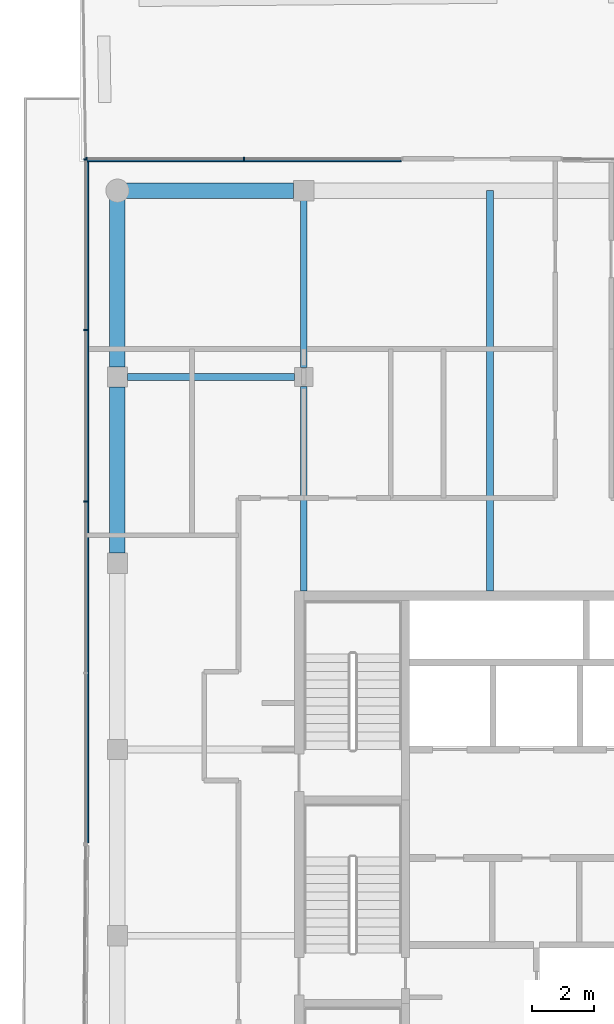
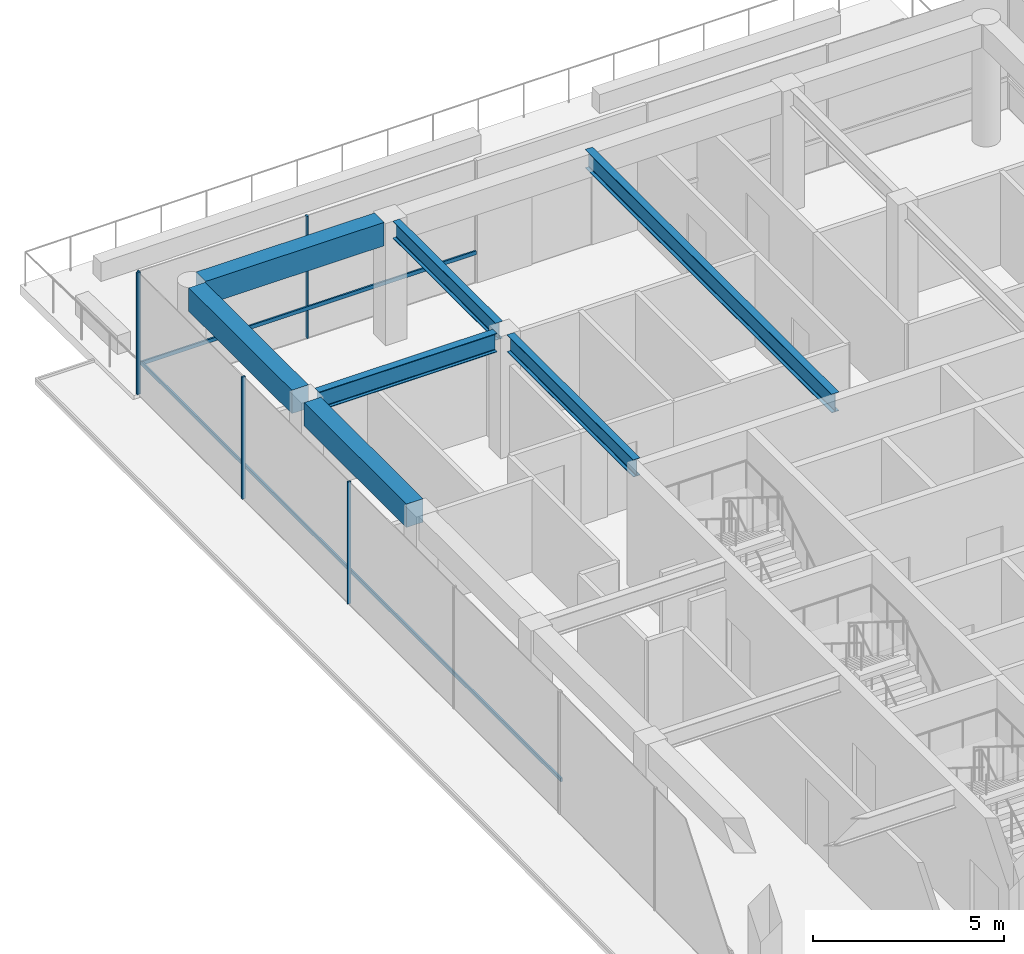
# One storey, part 9 of 17: 7 beams, 7 members, 2 elements without a shape of their own.
"""IFC4 building model written with IfcOpenShell, lengths in metres."""

from ifc_helpers import new_model, si_unit, direction, frame, origin, origin_2d, place, context, subcontext, project, spatial, rectangle, i_section, extrude, material, layer, layer_set, material_profile, profile_set, type_object, element, aggregate, save


model = new_model("IFC4")

# Units and contexts
model_context = context("Model", 3, precision=1e-05, world=origin(), true_north=direction((0.0, 1.0)))
body_context = subcontext(model_context, "Body", "Model", "MODEL_VIEW")
ifc_project = project(units=[si_unit("LENGTHUNIT", "METRE"), si_unit("AREAUNIT", "SQUARE_METRE"), si_unit("VOLUMEUNIT", "CUBIC_METRE"), si_unit("PLANEANGLEUNIT", "RADIAN"), si_unit("MASSUNIT", "GRAM", prefix="KILO")], contexts=[model_context])

# Site, building, storey
site_placement = place(None, origin())
site = spatial("IfcSite", under=ifc_project, at=site_placement, CompositionType="ELEMENT")
building_placement = place(site_placement, origin())
building = spatial("IfcBuilding", under=site, at=building_placement, Name="Welwitschia Terrace Campus", CompositionType="ELEMENT")
storey_placement = place(building_placement, frame((0.0, 0.0, 335.60009765625)))
storey = spatial("IfcBuildingStorey", under=building, at=storey_placement, Name="L75", CompositionType="ELEMENT", Elevation=335.60009765625)

# Beams
ifc_material_1 = material(Name="Steel S355", Category="steel")
ifc_material_profile_1 = material_profile(ifc_material_1, i_section(OverallWidth=0.2099609375, OverallDepth=0.550048828125, WebThickness=0.010986328125, FlangeThickness=0.01708984375, FilletRadius=0.02392578125, at=origin_2d()))
ifc_profile_set_1 = profile_set([ifc_material_profile_1], Name="Steel S355")
beam_type_1 = type_object("IfcBeamType", Name="Interior girder IPE 550", PredefinedType="BEAM", material=ifc_profile_set_1)
beam_1_placement = place(storey_placement, frame((6.0, 25.10107421875, 3.625), z_axis=(0.0, 1.0, 0.0), x_axis=(-1.0, 0.0, 0.0)))
element("IfcBeam", 1, at=beam_1_placement, inside=storey, type_object=beam_type_1, Name="Girder GB7", PredefinedType="BEAM", context=body_context, shape_type="SweptSolid", body=[
    extrude(i_section(OverallWidth=0.2099609375, OverallDepth=0.550048828125, WebThickness=0.010986328125, FlangeThickness=0.01708984375, FilletRadius=0.02392578125, at=origin_2d()), origin(), (0.0, 0.0, 1.0), 6.598388671875),
])
beam_2_placement = place(storey_placement, frame((6.0, 32.300537109375, 3.625), z_axis=(0.0, 1.0, 0.0), x_axis=(-1.0, 0.0, 0.0)))
element("IfcBeam", 2, at=beam_2_placement, inside=storey, type_object=beam_type_1, Name="Girder GB7", PredefinedType="BEAM", context=body_context, shape_type="SweptSolid", body=[
    extrude(i_section(OverallWidth=0.2099609375, OverallDepth=0.550048828125, WebThickness=0.010986328125, FlangeThickness=0.01708984375, FilletRadius=0.02392578125, at=origin_2d()), origin(), (0.0, 0.0, 1.0), 5.384033203125),
])

# Curtain wall, members
ifc_material_2 = material(Name="Bronze anodised aluminium", Category="aluminium")
ifc_layer = layer(ifc_material_2, 0.10009765625)
ifc_layer_set = layer_set([ifc_layer], Name="Bronze anodised aluminium")
curtain_wall_type = type_object("IfcCurtainWallType", Name="Curtain wall CW5 crown 6000", PredefinedType="NOTDEFINED", material=ifc_layer_set)
curtain_wall_1_placement = place(storey_placement, origin())
curtain_wall_1 = element("IfcCurtainWall", 3, at=curtain_wall_1_placement, inside=storey, type_object=curtain_wall_type, Name="CW L75.0.1", PredefinedType="NOTDEFINED")
ifc_material_3 = material(Name="Bronze anodised aluminium", Category="aluminium")
ifc_material_profile_2 = material_profile(ifc_material_3, rectangle(XDim=0.10009765625, YDim=0.050048828125, at=origin_2d()))
ifc_profile_set_2 = profile_set([ifc_material_profile_2], Name="Bronze anodised aluminium")
member_type_1 = type_object("IfcMemberType", Name="Mullion 50x100", PredefinedType="MULLION", material=ifc_profile_set_2)
member_1_placement = place(storey_placement, frame((4.078857421875, 39.030029296875, 0.0), z_axis=(0.0, 0.0, 1.0), x_axis=(0.0, -1.0, 0.0)))
member_1 = element("IfcMember", 4, at=member_1_placement, type_object=member_type_1, Name="Mullion L75.0.1.1", PredefinedType="MULLION", context=body_context, shape_type="SweptSolid", body=[
    extrude(rectangle(XDim=0.10009765625, YDim=0.050048828125, at=origin_2d()), origin(), (0.0, 0.0, 1.0), 3.89990234375),
])
member_2_placement = place(storey_placement, frame((-1.0048828125, 39.030029296875, 0.0), z_axis=(0.0, 0.0, 1.0), x_axis=(0.0, -1.0, 0.0)))
member_2 = element("IfcMember", 5, at=member_2_placement, type_object=member_type_1, Name="Mullion L75.0.1.2", PredefinedType="MULLION", context=body_context, shape_type="SweptSolid", body=[
    extrude(rectangle(XDim=0.10009765625, YDim=0.050048828125, at=origin_2d()), origin(), (0.0, 0.0, 1.0), 3.89990234375),
])

curtain_wall_2_placement = place(storey_placement, origin())
curtain_wall_2 = element("IfcCurtainWall", 6, at=curtain_wall_2_placement, inside=storey, type_object=curtain_wall_type, Name="CW L75.1.0", PredefinedType="NOTDEFINED")
member_3_placement = place(storey_placement, frame((-1.030029296875, 39.0048828125, 0.0), z_axis=(0.0, 0.0, 1.0), x_axis=(1.0, 0.0, 0.0)))
member_3 = element("IfcMember", 7, at=member_3_placement, type_object=member_type_1, Name="Mullion L75.1.0.0", PredefinedType="MULLION", context=body_context, shape_type="SweptSolid", body=[
    extrude(rectangle(XDim=0.10009765625, YDim=0.050048828125, at=origin_2d()), origin(), (0.0, 0.0, 1.0), 3.89990234375),
])
member_4_placement = place(storey_placement, frame((-1.030029296875, 33.50830078125, 0.0), z_axis=(0.0, 0.0, 1.0), x_axis=(1.0, 0.0, 0.0)))
member_4 = element("IfcMember", 8, at=member_4_placement, type_object=member_type_1, Name="Mullion L75.1.0.1", PredefinedType="MULLION", context=body_context, shape_type="SweptSolid", body=[
    extrude(rectangle(XDim=0.10009765625, YDim=0.050048828125, at=origin_2d()), origin(), (0.0, 0.0, 1.0), 3.89990234375),
])
member_5_placement = place(storey_placement, frame((-1.030029296875, 27.986572265625, 0.0), z_axis=(0.0, 0.0, 1.0), x_axis=(1.0, 0.0, 0.0)))
member_5 = element("IfcMember", 9, at=member_5_placement, type_object=member_type_1, Name="Mullion L75.1.0.2", PredefinedType="MULLION", context=body_context, shape_type="SweptSolid", body=[
    extrude(rectangle(XDim=0.10009765625, YDim=0.050048828125, at=origin_2d()), origin(), (0.0, 0.0, 1.0), 3.89990234375),
])

# Beams
ifc_material_4 = material(Name="Steel S355", Category="steel")
ifc_material_profile_3 = material_profile(ifc_material_4, i_section(OverallWidth=0.219970703125, OverallDepth=0.60009765625, WebThickness=0.011962890625, FlangeThickness=0.01904296875, FilletRadius=0.02392578125, at=origin_2d()))
ifc_profile_set_3 = profile_set([ifc_material_profile_3], Name="Steel S355")
beam_type_2 = type_object("IfcBeamType", Name="Primary beam IPE 600", PredefinedType="BEAM", material=ifc_profile_set_3)
beam_3_placement = place(storey_placement, frame((12.0, 38.0, 3.599853515625), z_axis=(0.0, -1.0, 0.0), x_axis=(1.0, 0.0, 0.0)))
element("IfcBeam", 10, at=beam_3_placement, inside=storey, type_object=beam_type_2, Name="Primary beam PB7", PredefinedType="BEAM", context=body_context, shape_type="SweptSolid", body=[
    extrude(i_section(OverallWidth=0.219970703125, OverallDepth=0.60009765625, WebThickness=0.011962890625, FlangeThickness=0.01904296875, FilletRadius=0.02392578125, at=origin_2d()), origin(), (0.0, 0.0, 1.0), 12.89990234375),
])
beam_4_placement = place(storey_placement, frame((0.325439453125, 32.0, 3.599853515625), z_axis=(1.0, 0.0, 0.0), x_axis=(0.0, 1.0, 0.0)))
element("IfcBeam", 11, at=beam_4_placement, inside=storey, type_object=beam_type_2, Name="Primary beam PB7", PredefinedType="BEAM", context=body_context, shape_type="SweptSolid", body=[
    extrude(i_section(OverallWidth=0.219970703125, OverallDepth=0.60009765625, WebThickness=0.011962890625, FlangeThickness=0.01904296875, FilletRadius=0.02392578125, at=origin_2d()), origin(), (0.0, 0.0, 1.0), 5.3740234375),
])
ifc_material_5 = material(Name="Concrete C40/50", Category="concrete")
ifc_material_profile_4 = material_profile(ifc_material_5, rectangle(XDim=0.5, YDim=0.75, at=origin_2d()))
ifc_profile_set_4 = profile_set([ifc_material_profile_4], Name="Concrete C40/50")
beam_type_3 = type_object("IfcBeamType", Name="Ring spandrel 500x750", PredefinedType="SPANDREL", material=ifc_profile_set_4)
for number, where, z_axis, x_axis, name in (
    (12, (5.674560546875, 38.0, 3.52490234375), (-1.0, 0.0, 0.0), (0.0, -1.0, 0.0), "Spandrel SP5"),
    (13, (0.0, 37.719482421875, 3.52490234375), (0.0, -1.0, 0.0), (1.0, 0.0, 0.0), "Spandrel SP5"),
):
    element("IfcBeam", number, at=place(storey_placement, frame(where, z_axis=z_axis, x_axis=x_axis)), inside=storey, type_object=beam_type_3, Name=name, PredefinedType="SPANDREL", context=body_context, shape_type="SweptSolid", body=[
        extrude(rectangle(XDim=0.5, YDim=0.75, at=origin_2d()), origin(), (0.0, 0.0, 1.0), 5.39404296875),
    ])
beam_5_placement = place(storey_placement, frame((0.0, 31.674560546875, 3.52490234375), z_axis=(0.0, -1.0, 0.0), x_axis=(1.0, 0.0, 0.0)))
element("IfcBeam", 14, at=beam_5_placement, inside=storey, type_object=beam_type_3, Name="Spandrel SP5", PredefinedType="SPANDREL", context=body_context, shape_type="SweptSolid", body=[
    extrude(rectangle(XDim=0.5, YDim=0.75, at=origin_2d()), origin(), (0.0, 0.0, 1.0), 5.34912109375),
])

# Member
ifc_material_6 = material(Name="Bronze anodised aluminium", Category="aluminium")
ifc_material_profile_5 = material_profile(ifc_material_6, rectangle(XDim=0.050048828125, YDim=0.1201171875, at=origin_2d()))
ifc_profile_set_5 = profile_set([ifc_material_profile_5], Name="Bronze anodised aluminium")
member_type_2 = type_object("IfcMemberType", Name="Transom 50x120", PredefinedType="USERDEFINED", material=ifc_profile_set_5)
member_6_placement = place(storey_placement, frame((9.137939453125, 38.955078125, 1.0), z_axis=(-1.0, 0.0, 0.0), x_axis=(0.0, -1.0, 0.0)))
member_6 = element("IfcMember", 15, at=member_6_placement, type_object=member_type_2, Name="Transom L75.0.1", ObjectType="TRANSOM", PredefinedType="USERDEFINED", context=body_context, shape_type="SweptSolid", body=[
    extrude(rectangle(XDim=0.050048828125, YDim=0.1201171875, at=origin_2d()), origin(), (0.0, 0.0, 1.0), 10.117919921875),
])

aggregate(curtain_wall_1, [member_1, member_2, member_6])

member_7_placement = place(storey_placement, frame((-0.955078125, 38.97998046875, 1.0), z_axis=(0.0, -1.0, 0.0), x_axis=(1.0, 0.0, 0.0)))
member_7 = element("IfcMember", 16, at=member_7_placement, type_object=member_type_2, Name="Transom L75.1.0", ObjectType="TRANSOM", PredefinedType="USERDEFINED", context=body_context, shape_type="SweptSolid", body=[
    extrude(rectangle(XDim=0.050048828125, YDim=0.1201171875, at=origin_2d()), origin(), (0.0, 0.0, 1.0), 21.98681640625),
])

aggregate(curtain_wall_2, [member_3, member_4, member_5, member_7])

save(model, "model.ifc")
